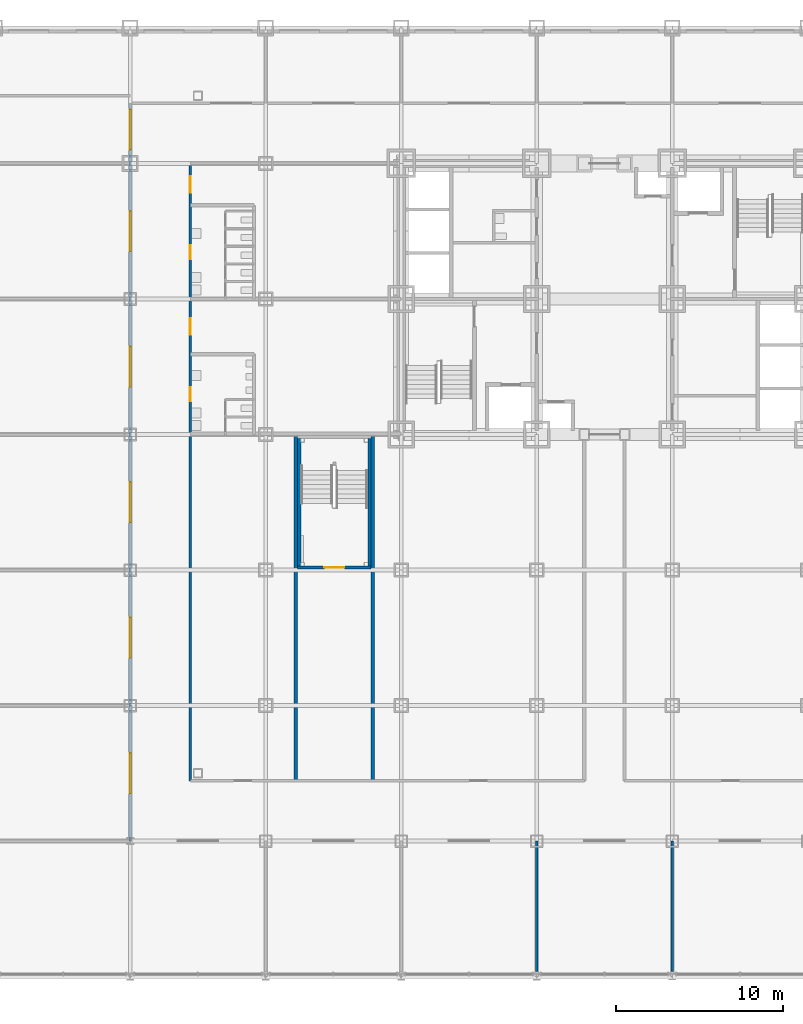
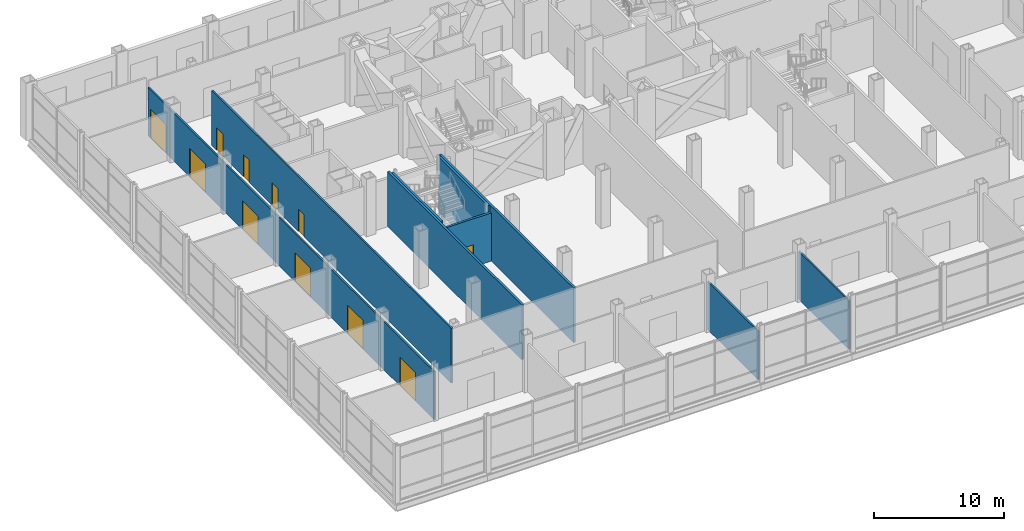
# One storey, part 21 of 30: 11 doors, 9 walls, 11 openings.
"""IFC4 building model written with IfcOpenShell, lengths in metres."""

from ifc_helpers import new_model, si_unit, direction, frame, frame_2d, origin, place, context, subcontext, project, spatial, rectangle, extrude, material, layer, layer_set, type_object, element, fill, save


model = new_model("IFC4")

# Units and contexts
model_context = context("Model", 3, precision=1e-05, world=origin(), true_north=direction((0.0, 1.0)))
body_context = subcontext(model_context, "Body", "Model", "MODEL_VIEW")
ifc_project = project(units=[si_unit("LENGTHUNIT", "METRE"), si_unit("AREAUNIT", "SQUARE_METRE"), si_unit("VOLUMEUNIT", "CUBIC_METRE"), si_unit("PLANEANGLEUNIT", "RADIAN"), si_unit("MASSUNIT", "GRAM", prefix="KILO")], contexts=[model_context])

# Site, building, storey
site_placement = place(None, origin())
site = spatial("IfcSite", under=ifc_project, at=site_placement, CompositionType="ELEMENT")
building_placement = place(site_placement, origin())
building = spatial("IfcBuilding", under=site, at=building_placement, Name="Kopane Lantern Tower", CompositionType="ELEMENT")
storey_placement = place(building_placement, frame((0.0, 0.0, 6.0)))
storey = spatial("IfcBuildingStorey", under=building, at=storey_placement, Name="L01", CompositionType="ELEMENT", Elevation=6.0)

# Wall, openings, doors
ifc_material_1 = material(Name="Gypsum board on steel studs", Category="steel")
ifc_layer_1 = layer(ifc_material_1, 0.14990234375)
ifc_layer_set_1 = layer_set([ifc_layer_1], Name="CORRIDOR WALL 150 EI 60")
wall_type_1 = type_object("IfcWallType", Name="CORRIDOR WALL 150 EI 60", PredefinedType="PARTITIONING", material=ifc_layer_set_1)
wall_1_placement = place(storey_placement, frame((0.0, 0.0, 0.0), z_axis=(0.0, 0.0, 1.0), x_axis=(0.0, 1.0, 0.0)))
wall_1 = element("IfcWall", 1, at=wall_1_placement, inside=storey, type_object=wall_type_1, Name="Corridor Wall 150 Ei 60 L01", PredefinedType="PARTITIONING", context=body_context, shape_type="SweptSolid", body=[
    extrude(rectangle(XDim=44.10009765625, YDim=0.14990234375, at=frame_2d((22.050048828125, 0.0))), origin(), (0.0, 0.0, 1.0), 4.537841796875),
])
opening_1_placement = place(wall_1_placement, frame((2.85009765625, 0.0, 0.0)))
opening_1 = element("IfcOpeningElement", 2, at=opening_1_placement, cuts=wall_1, Name="Opening L01-025", PredefinedType="OPENING", context=body_context, shape_type="SweptSolid", body=[
    extrude(rectangle(XDim=2.39990234375, YDim=2.699951171875, at=frame_2d((1.199951171875, 1.35009765625))), frame((0.0, 0.0849609375, 0.0), z_axis=(0.0, -1.0, 0.0), x_axis=(1.0, 0.0, 0.0)), (0.0, 0.0, 1.0), 0.169921875),
])
opening_2_placement = place(wall_1_placement, frame((10.949951171875, 0.0, 0.0)))
opening_2 = element("IfcOpeningElement", 3, at=opening_2_placement, cuts=wall_1, Name="Opening L01-026", PredefinedType="OPENING", context=body_context, shape_type="SweptSolid", body=[
    extrude(rectangle(XDim=2.39990234375, YDim=2.699951171875, at=frame_2d((1.199951171875, 1.35009765625))), frame((0.0, 0.0849609375, 0.0), z_axis=(0.0, -1.0, 0.0), x_axis=(1.0, 0.0, 0.0)), (0.0, 0.0, 1.0), 0.169921875),
])
opening_3_placement = place(wall_1_placement, frame((19.050048828125, 0.0, 0.0)))
opening_3 = element("IfcOpeningElement", 4, at=opening_3_placement, cuts=wall_1, Name="Opening L01-027", PredefinedType="OPENING", context=body_context, shape_type="SweptSolid", body=[
    extrude(rectangle(XDim=2.39990234375, YDim=2.699951171875, at=frame_2d((1.199951171875, 1.35009765625))), frame((0.0, 0.0849609375, 0.0), z_axis=(0.0, -1.0, 0.0), x_axis=(1.0, 0.0, 0.0)), (0.0, 0.0, 1.0), 0.169921875),
])
opening_4_placement = place(wall_1_placement, frame((27.14990234375, 0.0, 0.0)))
opening_4 = element("IfcOpeningElement", 5, at=opening_4_placement, cuts=wall_1, Name="Opening L01-028", PredefinedType="OPENING", context=body_context, shape_type="SweptSolid", body=[
    extrude(rectangle(XDim=2.39990234375, YDim=2.699951171875, at=frame_2d((1.199951171875, 1.35009765625))), frame((0.0, 0.0849609375, 0.0), z_axis=(0.0, -1.0, 0.0), x_axis=(1.0, 0.0, 0.0)), (0.0, 0.0, 1.0), 0.169921875),
])
opening_5_placement = place(wall_1_placement, frame((35.25, 0.0, 0.0)))
opening_5 = element("IfcOpeningElement", 6, at=opening_5_placement, cuts=wall_1, Name="Opening L01-029", PredefinedType="OPENING", context=body_context, shape_type="SweptSolid", body=[
    extrude(rectangle(XDim=2.39990234375, YDim=2.699951171875, at=frame_2d((1.199951171875, 1.35009765625))), frame((0.0, 0.0849609375, 0.0), z_axis=(0.0, -1.0, 0.0), x_axis=(1.0, 0.0, 0.0)), (0.0, 0.0, 1.0), 0.169921875),
])
opening_6_placement = place(wall_1_placement, frame((41.324951171875, 0.0, 0.0)))
opening_6 = element("IfcOpeningElement", 7, at=opening_6_placement, cuts=wall_1, Name="Opening L01-030", PredefinedType="OPENING", context=body_context, shape_type="SweptSolid", body=[
    extrude(rectangle(XDim=2.39990234375, YDim=2.699951171875, at=frame_2d((1.199951171875, 1.35009765625))), frame((0.0, 0.0849609375, 0.0), z_axis=(0.0, -1.0, 0.0), x_axis=(1.0, 0.0, 0.0)), (0.0, 0.0, 1.0), 0.169921875),
])
ifc_material_2 = material(Name="Timber door set", Category="wood")
door_type_1 = type_object("IfcDoorType", Name="DOOR D7 2400x2700 SHOPFRONT", OperationType="SINGLE_SWING_LEFT", PredefinedType="DOOR", material=ifc_material_2)
door_1_placement = place(opening_1_placement, origin())
door_1 = element("IfcDoor", 8, at=door_1_placement, inside=storey, type_object=door_type_1, Name="Door L01-025", OperationType="DOUBLE_DOOR_SINGLE_SWING", OverallHeight=2.699951171875, OverallWidth=2.39990234375, PredefinedType="DOOR", context=body_context, shape_type="SweptSolid", body=[
    extrude(rectangle(XDim=2.39990234375, YDim=2.699951171875, at=frame_2d((1.199951171875, 1.35009765625))), frame((0.0, 0.02490234375, 0.0), z_axis=(0.0, -1.0, 0.0), x_axis=(1.0, 0.0, 0.0)), (0.0, 0.0, 1.0), 0.050048828125),
])
fill(opening_1, door_1)
door_2_placement = place(opening_2_placement, origin())
door_2 = element("IfcDoor", 9, at=door_2_placement, inside=storey, type_object=door_type_1, Name="Door L01-026", OperationType="DOUBLE_DOOR_SINGLE_SWING", OverallHeight=2.699951171875, OverallWidth=2.39990234375, PredefinedType="DOOR", context=body_context, shape_type="SweptSolid", body=[
    extrude(rectangle(XDim=2.39990234375, YDim=2.699951171875, at=frame_2d((1.199951171875, 1.35009765625))), frame((0.0, 0.02490234375, 0.0), z_axis=(0.0, -1.0, 0.0), x_axis=(1.0, 0.0, 0.0)), (0.0, 0.0, 1.0), 0.050048828125),
])
fill(opening_2, door_2)
door_3_placement = place(opening_3_placement, origin())
door_3 = element("IfcDoor", 10, at=door_3_placement, inside=storey, type_object=door_type_1, Name="Door L01-027", OperationType="DOUBLE_DOOR_SINGLE_SWING", OverallHeight=2.699951171875, OverallWidth=2.39990234375, PredefinedType="DOOR", context=body_context, shape_type="SweptSolid", body=[
    extrude(rectangle(XDim=2.39990234375, YDim=2.699951171875, at=frame_2d((1.199951171875, 1.35009765625))), frame((0.0, 0.02490234375, 0.0), z_axis=(0.0, -1.0, 0.0), x_axis=(1.0, 0.0, 0.0)), (0.0, 0.0, 1.0), 0.050048828125),
])
fill(opening_3, door_3)
door_4_placement = place(opening_4_placement, origin())
door_4 = element("IfcDoor", 11, at=door_4_placement, inside=storey, type_object=door_type_1, Name="Door L01-028", OperationType="DOUBLE_DOOR_SINGLE_SWING", OverallHeight=2.699951171875, OverallWidth=2.39990234375, PredefinedType="DOOR", context=body_context, shape_type="SweptSolid", body=[
    extrude(rectangle(XDim=2.39990234375, YDim=2.699951171875, at=frame_2d((1.199951171875, 1.35009765625))), frame((0.0, 0.02490234375, 0.0), z_axis=(0.0, -1.0, 0.0), x_axis=(1.0, 0.0, 0.0)), (0.0, 0.0, 1.0), 0.050048828125),
])
fill(opening_4, door_4)
door_5_placement = place(opening_5_placement, origin())
door_5 = element("IfcDoor", 12, at=door_5_placement, inside=storey, type_object=door_type_1, Name="Door L01-029", OperationType="DOUBLE_DOOR_SINGLE_SWING", OverallHeight=2.699951171875, OverallWidth=2.39990234375, PredefinedType="DOOR", context=body_context, shape_type="SweptSolid", body=[
    extrude(rectangle(XDim=2.39990234375, YDim=2.699951171875, at=frame_2d((1.199951171875, 1.35009765625))), frame((0.0, 0.02490234375, 0.0), z_axis=(0.0, -1.0, 0.0), x_axis=(1.0, 0.0, 0.0)), (0.0, 0.0, 1.0), 0.050048828125),
])
fill(opening_5, door_5)
door_6_placement = place(opening_6_placement, origin())
door_6 = element("IfcDoor", 13, at=door_6_placement, inside=storey, type_object=door_type_1, Name="Door L01-030", OperationType="DOUBLE_DOOR_SINGLE_SWING", OverallHeight=2.699951171875, OverallWidth=2.39990234375, PredefinedType="DOOR", context=body_context, shape_type="SweptSolid", body=[
    extrude(rectangle(XDim=2.39990234375, YDim=2.699951171875, at=frame_2d((1.199951171875, 1.35009765625))), frame((0.0, 0.02490234375, 0.0), z_axis=(0.0, -1.0, 0.0), x_axis=(1.0, 0.0, 0.0)), (0.0, 0.0, 1.0), 0.050048828125),
])
fill(opening_6, door_6)

wall_2_placement = place(storey_placement, frame((3.60009765625, 40.5, 0.0), z_axis=(0.0, 0.0, 1.0), x_axis=(0.0, -1.0, 0.0)))
wall_2 = element("IfcWall", 14, at=wall_2_placement, inside=storey, type_object=wall_type_1, Name="Corridor Wall 150 Ei 60 L01", PredefinedType="PARTITIONING", context=body_context, shape_type="SweptSolid", body=[
    extrude(rectangle(XDim=36.89990234375, YDim=0.14990234375, at=frame_2d((18.449951171875, 0.0))), origin(), (0.0, 0.0, 1.0), 5.14990234375),
])
opening_7_placement = place(wall_2_placement, frame((13.375, 0.0, 0.0)))
opening_7 = element("IfcOpeningElement", 15, at=opening_7_placement, cuts=wall_2, Name="Opening L01-001", PredefinedType="OPENING", context=body_context, shape_type="SweptSolid", body=[
    extrude(rectangle(XDim=0.85009765625, YDim=2.10009765625, at=frame_2d((0.425048828125, 1.050048828125))), frame((0.0, 0.0849609375, 0.0), z_axis=(0.0, -1.0, 0.0), x_axis=(1.0, 0.0, 0.0)), (0.0, 0.0, 1.0), 0.169921875),
])
opening_8_placement = place(wall_2_placement, frame((9.25, 0.0, 0.0)))
opening_8 = element("IfcOpeningElement", 16, at=opening_8_placement, cuts=wall_2, Name="Opening L01-002", PredefinedType="OPENING", context=body_context, shape_type="SweptSolid", body=[
    extrude(rectangle(XDim=1.0, YDim=2.10009765625, at=frame_2d((0.5, 1.050048828125))), frame((0.0, 0.0849609375, 0.0), z_axis=(0.0, -1.0, 0.0), x_axis=(1.0, 0.0, 0.0)), (0.0, 0.0, 1.0), 0.169921875),
])
opening_9_placement = place(wall_2_placement, frame((4.875, 0.0, 0.0)))
opening_9 = element("IfcOpeningElement", 17, at=opening_9_placement, cuts=wall_2, Name="Opening L01-003", PredefinedType="OPENING", context=body_context, shape_type="SweptSolid", body=[
    extrude(rectangle(XDim=0.85009765625, YDim=2.10009765625, at=frame_2d((0.425048828125, 1.050048828125))), frame((0.0, 0.0849609375, 0.0), z_axis=(0.0, -1.0, 0.0), x_axis=(1.0, 0.0, 0.0)), (0.0, 0.0, 1.0), 0.169921875),
])
opening_10_placement = place(wall_2_placement, frame((0.75, 0.0, 0.0)))
opening_10 = element("IfcOpeningElement", 18, at=opening_10_placement, cuts=wall_2, Name="Opening L01-004", PredefinedType="OPENING", context=body_context, shape_type="SweptSolid", body=[
    extrude(rectangle(XDim=1.0, YDim=2.10009765625, at=frame_2d((0.5, 1.050048828125))), frame((0.0, 0.0849609375, 0.0), z_axis=(0.0, -1.0, 0.0), x_axis=(1.0, 0.0, 0.0)), (0.0, 0.0, 1.0), 0.169921875),
])
ifc_material_3 = material(Name="Timber door set", Category="wood")
door_type_2 = type_object("IfcDoorType", Name="DOOR D4 850x2100", OperationType="SINGLE_SWING_LEFT", PredefinedType="DOOR", material=ifc_material_3)
door_7_placement = place(opening_7_placement, origin())
door_7 = element("IfcDoor", 19, at=door_7_placement, inside=storey, type_object=door_type_2, Name="Door L01-001", OperationType="SINGLE_SWING_RIGHT", OverallHeight=2.10009765625, OverallWidth=0.85009765625, PredefinedType="DOOR", context=body_context, shape_type="SweptSolid", body=[
    extrude(rectangle(XDim=0.85009765625, YDim=2.10009765625, at=frame_2d((0.425048828125, 1.050048828125))), frame((0.0, 0.02490234375, 0.0), z_axis=(0.0, -1.0, 0.0), x_axis=(1.0, 0.0, 0.0)), (0.0, 0.0, 1.0), 0.050048828125),
])
fill(opening_7, door_7)
door_8_placement = place(opening_9_placement, origin())
door_8 = element("IfcDoor", 20, at=door_8_placement, inside=storey, type_object=door_type_2, Name="Door L01-003", OperationType="SINGLE_SWING_RIGHT", OverallHeight=2.10009765625, OverallWidth=0.85009765625, PredefinedType="DOOR", context=body_context, shape_type="SweptSolid", body=[
    extrude(rectangle(XDim=0.85009765625, YDim=2.10009765625, at=frame_2d((0.425048828125, 1.050048828125))), frame((0.0, 0.02490234375, 0.0), z_axis=(0.0, -1.0, 0.0), x_axis=(1.0, 0.0, 0.0)), (0.0, 0.0, 1.0), 0.050048828125),
])
fill(opening_9, door_8)
ifc_material_4 = material(Name="Steel door set", Category="steel")
door_type_3 = type_object("IfcDoorType", Name="DOOR D5 1000x2100 FD60", OperationType="SINGLE_SWING_LEFT", PredefinedType="DOOR", material=ifc_material_4)
door_9_placement = place(opening_8_placement, origin())
door_9 = element("IfcDoor", 21, at=door_9_placement, inside=storey, type_object=door_type_3, Name="Door L01-002", OperationType="SINGLE_SWING_LEFT", OverallHeight=2.10009765625, OverallWidth=1.0, PredefinedType="DOOR", context=body_context, shape_type="SweptSolid", body=[
    extrude(rectangle(XDim=1.0, YDim=2.10009765625, at=frame_2d((0.5, 1.050048828125))), frame((0.0, 0.02490234375, 0.0), z_axis=(0.0, -1.0, 0.0), x_axis=(1.0, 0.0, 0.0)), (0.0, 0.0, 1.0), 0.050048828125),
])
fill(opening_8, door_9)
door_10_placement = place(opening_10_placement, origin())
door_10 = element("IfcDoor", 22, at=door_10_placement, inside=storey, type_object=door_type_3, Name="Door L01-004", OperationType="SINGLE_SWING_LEFT", OverallHeight=2.10009765625, OverallWidth=1.0, PredefinedType="DOOR", context=body_context, shape_type="SweptSolid", body=[
    extrude(rectangle(XDim=1.0, YDim=2.10009765625, at=frame_2d((0.5, 1.050048828125))), frame((0.0, 0.02490234375, 0.0), z_axis=(0.0, -1.0, 0.0), x_axis=(1.0, 0.0, 0.0)), (0.0, 0.0, 1.0), 0.050048828125),
])
fill(opening_10, door_10)

# Walls
ifc_material_5 = material(Name="Gypsum board on steel studs", Category="steel")
ifc_layer_2 = layer(ifc_material_5, 0.14990234375)
ifc_layer_set_2 = layer_set([ifc_layer_2], Name="DEMISING WALL 150 EI 60")
wall_type_2 = type_object("IfcWallType", Name="DEMISING WALL 150 EI 60", PredefinedType="PARTITIONING", material=ifc_layer_set_2)
for number, where, z_axis, x_axis, name in (
    (23, (24.300048828125, 0.0, 0.0), (0.0, 0.0, 1.0), (0.0, -1.0, 0.0), "Demising Wall 150 Ei 60 L01"),
    (24, (32.39990234375, 0.0, 0.0), (0.0, 0.0, 1.0), (0.0, -1.0, 0.0), "Demising Wall 150 Ei 60 L01"),
):
    element("IfcWall", number, at=place(storey_placement, frame(where, z_axis=z_axis, x_axis=x_axis)), inside=storey, type_object=wall_type_2, Name=name, PredefinedType="PARTITIONING", context=body_context, shape_type="SweptSolid", body=[
        extrude(rectangle(XDim=7.800048828125, YDim=0.14990234375, at=frame_2d((3.89990234375, 0.0))), origin(), (0.0, 0.0, 1.0), 4.537841796875),
    ])
ifc_material_6 = material(Name="Concrete masonry", Category="masonry")
ifc_layer_3 = layer(ifc_material_6, 0.199951171875)
ifc_layer_set_3 = layer_set([ifc_layer_3], Name="PLANT ROOM WALL 200 EI 120")
wall_type_3 = type_object("IfcWallType", Name="PLANT ROOM WALL 200 EI 120", PredefinedType="SOLIDWALL", material=ifc_layer_set_3)
for number, where, z_axis, x_axis, name in (
    (25, (9.89990234375, 3.60009765625, 0.0), (0.0, 0.0, 1.0), (0.0, 1.0, 0.0), "Plant Room Wall 200 Ei 120 L01"),
    (26, (14.5, 3.60009765625, 0.0), (0.0, 0.0, 1.0), (0.0, 1.0, 0.0), "Plant Room Wall 200 Ei 120 L01"),
):
    element("IfcWall", number, at=place(storey_placement, frame(where, z_axis=z_axis, x_axis=x_axis)), inside=storey, type_object=wall_type_3, Name=name, PredefinedType="SOLIDWALL", context=body_context, shape_type="SweptSolid", body=[
        extrude(rectangle(XDim=20.699951171875, YDim=0.199951171875, at=frame_2d((10.35009765625, 0.0))), origin(), (0.0, 0.0, 1.0), 5.14990234375),
    ])

# Wall, opening, door
ifc_material_7 = material(Name="Gypsum shaft wall EI 120", Category="gypsum")
ifc_layer_4 = layer(ifc_material_7, 0.199951171875)
ifc_layer_set_4 = layer_set([ifc_layer_4], Name="SHAFT WALL 200 EI 120")
wall_type_4 = type_object("IfcWallType", Name="SHAFT WALL 200 EI 120", PredefinedType="SOLIDWALL", material=ifc_layer_set_4)
wall_3_placement = place(storey_placement, frame((10.0, 16.35009765625, 0.0), z_axis=(0.0, 0.0, 1.0), x_axis=(1.0, 0.0, 0.0)))
wall_3 = element("IfcWall", 27, at=wall_3_placement, inside=storey, type_object=wall_type_4, Name="Stair enclosure wall ST3 L01", PredefinedType="SOLIDWALL", context=body_context, shape_type="SweptSolid", body=[
    extrude(rectangle(XDim=4.39990234375, YDim=0.199951171875, at=frame_2d((2.199951171875, 0.0))), origin(), (0.0, 0.0, 1.0), 4.537841796875),
])
opening_11_placement = place(wall_3_placement, frame((1.60009765625, 0.0, 0.0)))
opening_11 = element("IfcOpeningElement", 28, at=opening_11_placement, cuts=wall_3, Name="Opening 01.SD3", PredefinedType="OPENING", context=body_context, shape_type="SweptSolid", body=[
    extrude(rectangle(XDim=1.199951171875, YDim=2.10009765625, at=frame_2d((0.60009765625, 1.050048828125))), frame((0.0, 0.10986328125, 0.0), z_axis=(0.0, -1.0, 0.0), x_axis=(1.0, 0.0, 0.0)), (0.0, 0.0, 1.0), 0.219970703125),
])
ifc_material_8 = material(Name="Steel door set", Category="steel")
door_type_4 = type_object("IfcDoorType", Name="STAIR DOOR 1200x2100 FD60S", OperationType="SINGLE_SWING_LEFT", PredefinedType="DOOR", material=ifc_material_8)
door_11_placement = place(opening_11_placement, origin())
door_11 = element("IfcDoor", 29, at=door_11_placement, inside=storey, type_object=door_type_4, Name="Stair door ST3 L01", OperationType="SINGLE_SWING_LEFT", OverallHeight=2.10009765625, OverallWidth=1.199951171875, PredefinedType="DOOR", context=body_context, shape_type="SweptSolid", body=[
    extrude(rectangle(XDim=1.199951171875, YDim=2.10009765625, at=frame_2d((0.60009765625, 1.050048828125))), frame((0.0, 0.02490234375, 0.0), z_axis=(0.0, -1.0, 0.0), x_axis=(1.0, 0.0, 0.0)), (0.0, 0.0, 1.0), 0.050048828125),
])
fill(opening_11, door_11)

# Walls
for number, where, z_axis, x_axis, name in (
    (30, (10.10009765625, 16.449951171875, 0.0), (0.0, 0.0, 1.0), (0.0, 1.0, 0.0), "Stair enclosure wall ST3 L01"),
    (31, (14.300048828125, 16.449951171875, 0.0), (0.0, 0.0, 1.0), (0.0, 1.0, 0.0), "Stair enclosure wall ST3 L01"),
):
    element("IfcWall", number, at=place(storey_placement, frame(where, z_axis=z_axis, x_axis=x_axis)), inside=storey, type_object=wall_type_4, Name=name, PredefinedType="SOLIDWALL", context=body_context, shape_type="SweptSolid", body=[
        extrude(rectangle(XDim=7.60009765625, YDim=0.199951171875, at=frame_2d((3.800048828125, 0.0))), origin(), (0.0, 0.0, 1.0), 5.14990234375),
    ])

save(model, "model.ifc")
